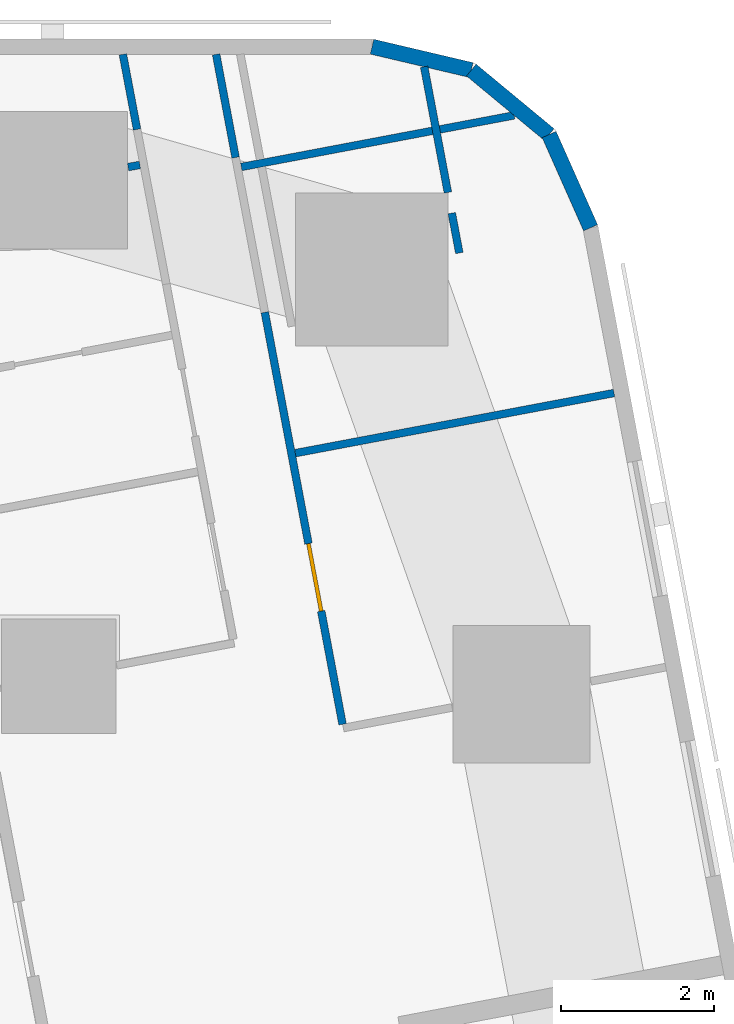
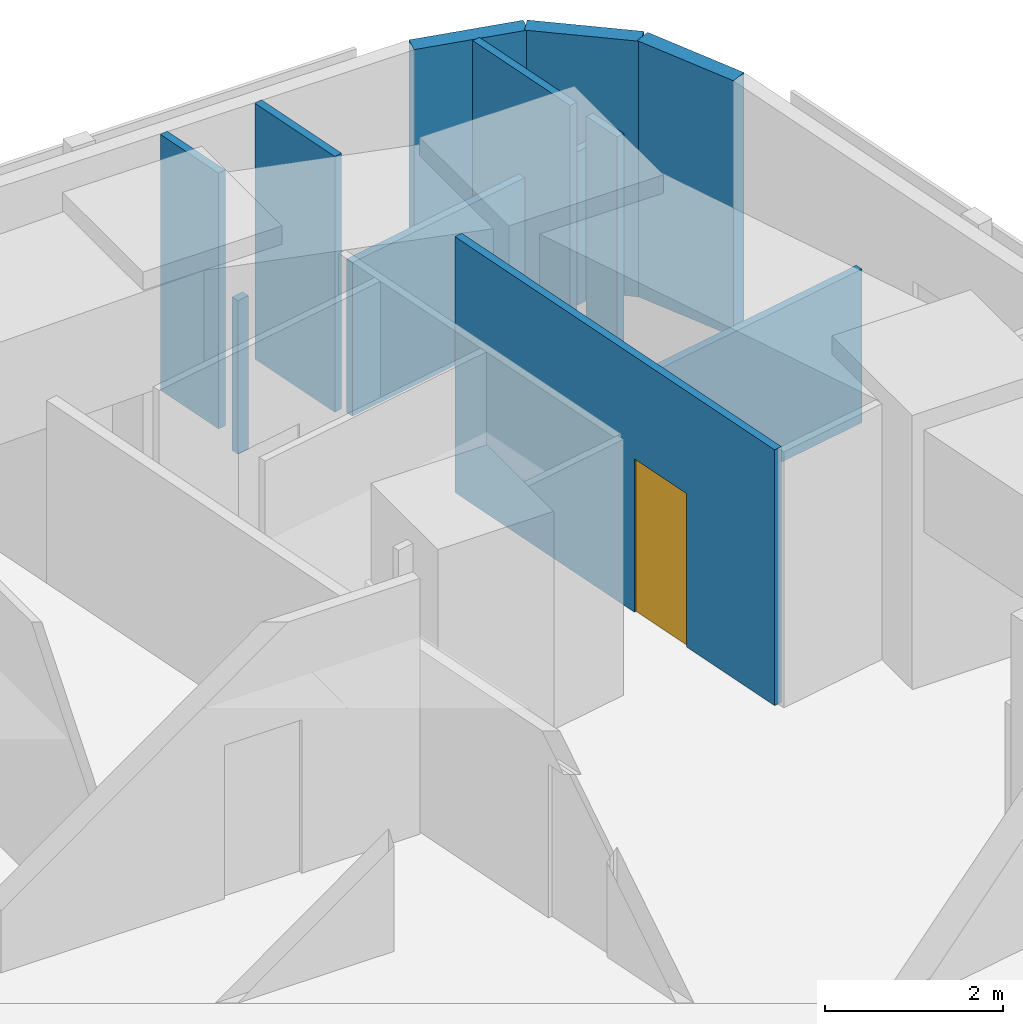
# One storey, part 11 of 15: 11 walls, 1 door, 1 opening.
"""IFC4 building model written with IfcOpenShell, lengths in metres."""

from ifc_helpers import new_model, si_unit, direction, frame, frame_2d, origin, place, context, subcontext, project, spatial, rectangle, extrude, material, layer, layer_set, type_object, element, fill, save


model = new_model("IFC4")

# Units and contexts
model_context = context("Model", 3, precision=1e-05, world=origin(), true_north=direction((0.0, 1.0)))
body_context = subcontext(model_context, "Body", "Model", "MODEL_VIEW")
ifc_project = project(units=[si_unit("LENGTHUNIT", "METRE"), si_unit("AREAUNIT", "SQUARE_METRE"), si_unit("VOLUMEUNIT", "CUBIC_METRE"), si_unit("PLANEANGLEUNIT", "RADIAN"), si_unit("MASSUNIT", "GRAM", prefix="KILO")], contexts=[model_context])

# Site, building, storey
site_placement = place(None, origin())
site = spatial("IfcSite", under=ifc_project, at=site_placement, CompositionType="ELEMENT")
building_placement = place(site_placement, origin())
building = spatial("IfcBuilding", under=site, at=building_placement, Name="Sheger Commons Tower", CompositionType="ELEMENT")
storey_placement = place(building_placement, frame((0.0, 0.0, 177.050048828125)))
storey = spatial("IfcBuildingStorey", under=building, at=storey_placement, Name="L45", CompositionType="ELEMENT", Elevation=177.050048828125)

# Walls
ifc_material_1 = material(Name="Rendered concrete block masonry, dark grey", Category="masonry")
ifc_layer_1 = layer(ifc_material_1, 0.199951171875)
ifc_layer_set_1 = layer_set([ifc_layer_1], Name="FACADE WALL 200")
wall_type_1 = type_object("IfcWallType", Name="FACADE WALL 200", PredefinedType="SOLIDWALL", material=ifc_layer_set_1)
wall_1_placement = place(storey_placement, frame((42.969970703125, 43.376953125, 0.0), z_axis=(0.0, 0.0, 1.0), x_axis=(-0.406002956633, 0.913871762998, 0.0)))
element("IfcWall", 1, at=wall_1_placement, inside=storey, type_object=wall_type_1, Name="Facade wall L45", PredefinedType="SOLIDWALL", context=body_context, shape_type="SweptSolid", body=[
    extrude(rectangle(XDim=1.33740234375, YDim=0.199951171875, at=frame_2d((0.668701171875, 0.0))), origin(), (0.0, 0.0, 1.0), 3.5),
])
wall_2_placement = place(storey_placement, frame((42.427001953125, 44.59912109375, 0.0), z_axis=(0.0, 0.0, 1.0), x_axis=(-0.770091412544, 0.637933551655, 0.0)))
element("IfcWall", 2, at=wall_2_placement, inside=storey, type_object=wall_type_1, Name="Facade wall L45", PredefinedType="SOLIDWALL", context=body_context, shape_type="SweptSolid", body=[
    extrude(rectangle(XDim=1.324462890625, YDim=0.199951171875, at=frame_2d((0.662109375, 0.0))), origin(), (0.0, 0.0, 1.0), 3.5),
])
wall_3_placement = place(storey_placement, frame((41.406982421875, 45.444091796875, 0.0), z_axis=(0.0, 0.0, 1.0), x_axis=(-0.973453091607, 0.228886606077, 0.0)))
element("IfcWall", 3, at=wall_3_placement, inside=storey, type_object=wall_type_1, Name="Facade wall L45", PredefinedType="SOLIDWALL", context=body_context, shape_type="SweptSolid", body=[
    extrude(rectangle(XDim=1.33642578125, YDim=0.199951171875, at=frame_2d((0.668212890625, 0.0))), origin(), (0.0, 0.0, 1.0), 3.5),
])
ifc_material_2 = material(Name="Gypsum board on steel studs", Category="steel")
ifc_layer_2 = layer(ifc_material_2, 0.10009765625)
ifc_layer_set_2 = layer_set([ifc_layer_2], Name="PARTITION 100")
wall_type_2 = type_object("IfcWallType", Name="PARTITION 100", PredefinedType="PARTITIONING", material=ifc_layer_set_2)
wall_4_placement = place(storey_placement, frame((40.7890625, 45.487060546875, 0.0), z_axis=(0.0, 0.0, 1.0), x_axis=(0.185572395193, -0.982630594955, 0.0)))
element("IfcWall", 4, at=wall_4_placement, inside=storey, type_object=wall_type_2, Name="Partition L45", PredefinedType="PARTITIONING", context=body_context, shape_type="SweptSolid", body=[
    extrude(rectangle(XDim=1.676025390625, YDim=0.10009765625, at=frame_2d((0.837890625, 0.0))), origin(), (0.0, 0.0, 1.0), 3.5),
])
wall_5_placement = place(storey_placement, frame((41.15087890625, 43.569091796875, 0.0), z_axis=(0.0, 0.0, 1.0), x_axis=(0.186563073924, -0.982442985342, 0.0)))
element("IfcWall", 5, at=wall_5_placement, inside=storey, type_object=wall_type_2, Name="Partition L45", PredefinedType="PARTITIONING", context=body_context, shape_type="SweptSolid", body=[
    extrude(rectangle(XDim=0.53125, YDim=0.10009765625, at=frame_2d((0.265625, 0.0))), origin(), (0.0, 0.0, 1.0), 3.5),
])
wall_6_placement = place(storey_placement, frame((38.06298828125, 45.64990234375, 0.0), z_axis=(0.0, 0.0, 1.0), x_axis=(0.185456359766, -0.982652501458, 0.0)))
element("IfcWall", 6, at=wall_6_placement, inside=storey, type_object=wall_type_2, Name="Partition L45", PredefinedType="PARTITIONING", context=body_context, shape_type="SweptSolid", body=[
    extrude(rectangle(XDim=1.375732421875, YDim=0.10009765625, at=frame_2d((0.68798828125, 0.0))), origin(), (0.0, 0.0, 1.0), 3.5),
])

# Wall, opening, door
wall_7_placement = place(storey_placement, frame((38.700927734375, 42.27001953125, 0.0), z_axis=(0.0, 0.0, 1.0), x_axis=(0.185474244877, -0.982649125826, 0.0)))
wall_7 = element("IfcWall", 7, at=wall_7_placement, inside=storey, type_object=wall_type_2, Name="Partition L45", PredefinedType="PARTITIONING", context=body_context, shape_type="SweptSolid", body=[
    extrude(rectangle(XDim=5.494140625, YDim=0.10009765625, at=frame_2d((2.7470703125, 0.0))), origin(), (0.0, 0.0, 1.0), 3.5),
])
opening_placement = place(wall_7_placement, frame((3.0849609375, 0.0, 0.0)))
opening = element("IfcOpeningElement", 8, at=opening_placement, cuts=wall_7, Name="Opening D2", PredefinedType="OPENING", context=body_context, shape_type="SweptSolid", body=[
    extrude(rectangle(XDim=0.89990234375, YDim=2.10009765625, at=frame_2d((0.449951171875, 1.050048828125))), frame((0.0, 0.06005859375, 0.0), z_axis=(0.0, -1.0, 0.0), x_axis=(1.0, 0.0, 0.0)), (0.0, 0.0, 1.0), 0.1201171875),
])
ifc_material_3 = material(Name="Timber door set", Category="wood")
door_type = type_object("IfcDoorType", Name="INTERNAL DOOR 900x2100", OperationType="NOTDEFINED", PredefinedType="DOOR", material=ifc_material_3)
door_placement = place(opening_placement, origin())
door = element("IfcDoor", 9, at=door_placement, inside=storey, type_object=door_type, Name="Main bedroom door", OperationType="SINGLE_SWING_LEFT", OverallHeight=2.10009765625, OverallWidth=0.89990234375, PredefinedType="DOOR", context=body_context, shape_type="SweptSolid", body=[
    extrude(rectangle(XDim=0.89990234375, YDim=2.10009765625, at=frame_2d((0.449951171875, 1.050048828125))), frame((0.0, 0.02490234375, 0.0), z_axis=(0.0, -1.0, 0.0), x_axis=(1.0, 0.0, 0.0)), (0.0, 0.0, 1.0), 0.050048828125),
])
fill(opening, door)

# Walls
wall_8_placement = place(storey_placement, frame((36.841064453125, 45.64990234375, 0.0), z_axis=(0.0, 0.0, 1.0), x_axis=(0.185789875365, -0.982589498322, 0.0)))
element("IfcWall", 10, at=wall_8_placement, inside=storey, type_object=wall_type_2, Name="Partition L45", PredefinedType="PARTITIONING", context=body_context, shape_type="SweptSolid", body=[
    extrude(rectangle(XDim=1.001220703125, YDim=0.10009765625, at=frame_2d((0.50048828125, 0.0))), origin(), (0.0, 0.0, 1.0), 3.5),
])
wall_9_placement = place(storey_placement, frame((41.968017578125, 44.85009765625, 0.0), z_axis=(0.0, 0.0, 1.0), x_axis=(-0.98258614234, -0.185807623311, 0.0)))
element("IfcWall", 11, at=wall_9_placement, inside=storey, type_object=wall_type_2, Name="Partition L45", PredefinedType="PARTITIONING", context=body_context, shape_type="SweptSolid", body=[
    extrude(rectangle(XDim=3.638427734375, YDim=0.10009765625, at=frame_2d((1.8193359375, 0.0))), origin(), (0.0, 0.0, 1.0), 2.099853515625),
])
wall_10_placement = place(storey_placement, frame((43.277099609375, 41.2119140625, 0.0), z_axis=(0.0, 0.0, 1.0), x_axis=(-0.982665405803, -0.185387972203, 0.0)))
element("IfcWall", 12, at=wall_10_placement, inside=storey, type_object=wall_type_2, Name="Partition L45", PredefinedType="PARTITIONING", context=body_context, shape_type="SweptSolid", body=[
    extrude(rectangle(XDim=4.249755859375, YDim=0.10009765625, at=frame_2d((2.125, 0.0))), origin(), (0.0, 0.0, 1.0), 2.099853515625),
])
wall_11_placement = place(storey_placement, frame((37.06396484375, 44.200927734375, 0.0), z_axis=(0.0, 0.0, 1.0), x_axis=(-0.982960250751, -0.183818240236, 0.0)))
element("IfcWall", 13, at=wall_11_placement, inside=storey, type_object=wall_type_2, Name="Partition L45", PredefinedType="PARTITIONING", context=body_context, shape_type="SweptSolid", body=[
    extrude(rectangle(XDim=0.15673828125, YDim=0.10009765625, at=frame_2d((0.078369140625, 0.0))), origin(), (0.0, 0.0, 1.0), 2.099853515625),
])

save(model, "model.ifc")
